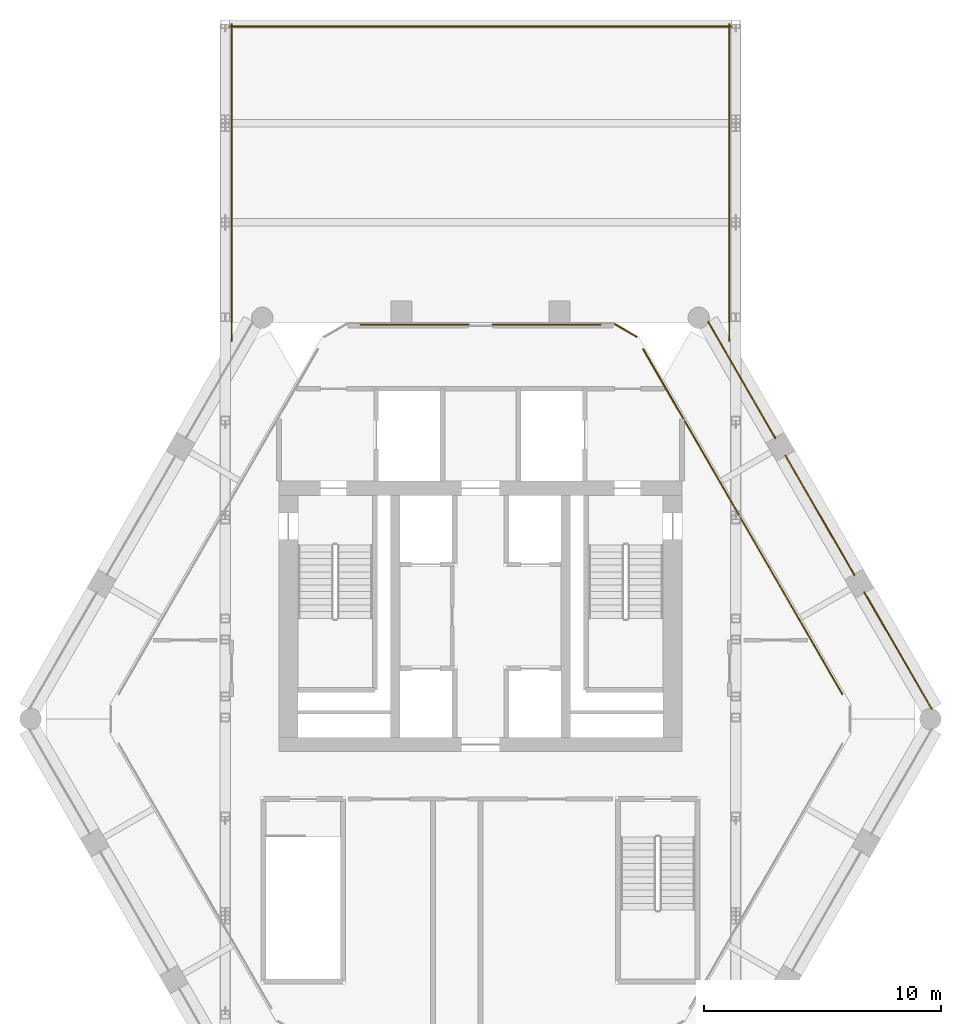
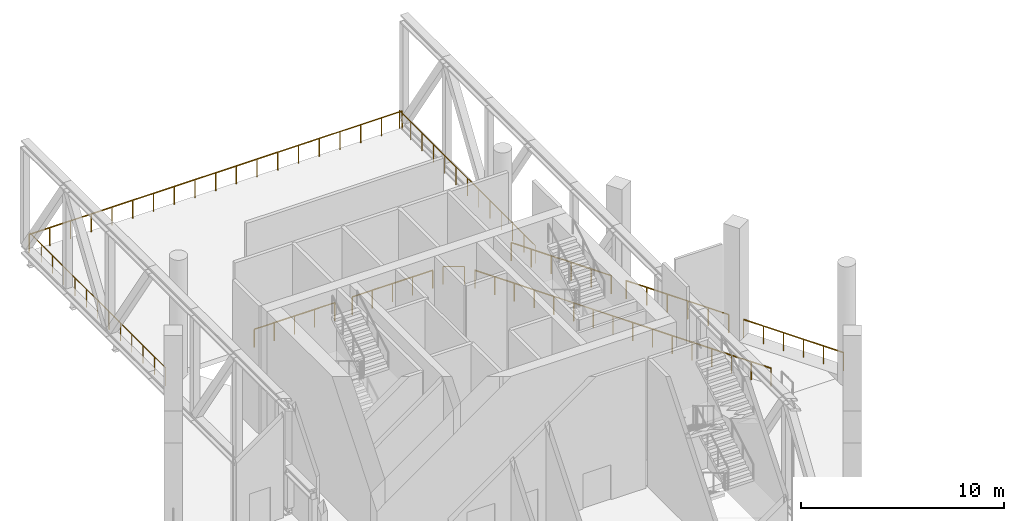
# One storey, part 14 of 14: 10 railings.
"""IFC4 building model written with IfcOpenShell, lengths in metres."""

from ifc_helpers import new_model, si_unit, direction, frame, origin, origin_2d, place, context, subcontext, project, spatial, circle, extrude, material, type_object, element, save


model = new_model("IFC4")

# Units and contexts
model_context = context("Model", 3, precision=1e-05, world=origin(), true_north=direction((0.0, 1.0)))
body_context = subcontext(model_context, "Body", "Model", "MODEL_VIEW")
ifc_project = project(units=[si_unit("LENGTHUNIT", "METRE"), si_unit("AREAUNIT", "SQUARE_METRE"), si_unit("VOLUMEUNIT", "CUBIC_METRE"), si_unit("PLANEANGLEUNIT", "RADIAN"), si_unit("MASSUNIT", "GRAM", prefix="KILO")], contexts=[model_context])

# Site, building, storey
site_placement = place(None, origin())
site = spatial("IfcSite", under=ifc_project, at=site_placement, CompositionType="ELEMENT")
building_placement = place(site_placement, origin())
building = spatial("IfcBuilding", under=site, at=building_placement, Name="Ostrander Bayou Hotel Tower", CompositionType="ELEMENT")
storey_placement = place(building_placement, frame((0.0, 0.0, 237.0)))
storey = spatial("IfcBuildingStorey", under=building, at=storey_placement, Name="L59", CompositionType="ELEMENT", Elevation=237.0)

# Railings
ifc_material = material(Name="Stainless steel and clear glass", Category="steel")
railing_type = type_object("IfcRailingType", Name="GR1 guard 1100 mm", PredefinedType="GUARDRAIL", material=ifc_material)
railing_1_placement = place(storey_placement, frame((19.024169921875, 0.0947265625, 0.0)))
element("IfcRailing", 1, at=railing_1_placement, inside=storey, type_object=railing_type, Name="GR1 L59 NE-1 open band guard", PredefinedType="GUARDRAIL", context=body_context, shape_type="SweptSolid", body=[
    extrude(circle(Radius=0.02490234375, at=origin_2d()), frame((0.0, 0.0, 1.0751953125), z_axis=(-0.499994028088, 0.866028851642, 0.0), x_axis=(-0.866028851642, -0.499994028088, 0.0)), (0.0, 0.0, 1.0), 5.6806640625),
    extrude(circle(Radius=0.02001953125, at=origin_2d()), origin(), (0.0, 0.0, 1.0), 1.050048828125),
    extrude(circle(Radius=0.02001953125, at=origin_2d()), frame((-0.568115234375, 0.98388671875, 0.0)), (0.0, 0.0, 1.0), 1.050048828125),
    extrude(circle(Radius=0.02001953125, at=origin_2d()), frame((-1.13623046875, 1.9677734375, 0.0)), (0.0, 0.0, 1.0), 1.050048828125),
    extrude(circle(Radius=0.02001953125, at=origin_2d()), frame((-1.7041015625, 2.951904296875, 0.0)), (0.0, 0.0, 1.0), 1.050048828125),
    extrude(circle(Radius=0.02001953125, at=origin_2d()), frame((-2.272216796875, 3.935791015625, 0.0)), (0.0, 0.0, 1.0), 1.050048828125),
    extrude(circle(Radius=0.02001953125, at=origin_2d()), frame((-2.84033203125, 4.919677734375, 0.0)), (0.0, 0.0, 1.0), 1.050048828125),
])
railing_2_placement = place(storey_placement, frame((15.763916015625, 5.74169921875, 0.0)))
element("IfcRailing", 2, at=railing_2_placement, inside=storey, type_object=railing_type, Name="GR1 L59 NE-2 open band guard", PredefinedType="GUARDRAIL", context=body_context, shape_type="SweptSolid", body=[
    extrude(circle(Radius=0.02490234375, at=origin_2d()), frame((0.0, 0.0, 1.0751953125), z_axis=(-0.499997265274, 0.866026982673, 0.0), x_axis=(-0.866026982673, -0.499997265274, 0.0)), (0.0, 0.0, 1.0), 5.81884765625),
    extrude(circle(Radius=0.02001953125, at=origin_2d()), origin(), (0.0, 0.0, 1.0), 1.050048828125),
    extrude(circle(Radius=0.02001953125, at=origin_2d()), frame((-0.581787109375, 1.0078125, 0.0)), (0.0, 0.0, 1.0), 1.050048828125),
    extrude(circle(Radius=0.02001953125, at=origin_2d()), frame((-1.163818359375, 2.015625, 0.0)), (0.0, 0.0, 1.0), 1.050048828125),
    extrude(circle(Radius=0.02001953125, at=origin_2d()), frame((-1.74560546875, 3.023681640625, 0.0)), (0.0, 0.0, 1.0), 1.050048828125),
    extrude(circle(Radius=0.02001953125, at=origin_2d()), frame((-2.32763671875, 4.031494140625, 0.0)), (0.0, 0.0, 1.0), 1.050048828125),
    extrude(circle(Radius=0.02001953125, at=origin_2d()), frame((-2.909423828125, 5.039306640625, 0.0)), (0.0, 0.0, 1.0), 1.050048828125),
])
railing_3_placement = place(storey_placement, frame((12.434326171875, 11.50830078125, 0.0)))
element("IfcRailing", 3, at=railing_3_placement, inside=storey, type_object=railing_type, Name="GR1 L59 NE-3 open band guard", PredefinedType="GUARDRAIL", context=body_context, shape_type="SweptSolid", body=[
    extrude(circle(Radius=0.02490234375, at=origin_2d()), frame((0.0, 0.0, 1.0751953125), z_axis=(-0.499994028088, 0.866028851642, 0.0), x_axis=(-0.866028851642, -0.499994028088, 0.0)), (0.0, 0.0, 1.0), 5.6806640625),
    extrude(circle(Radius=0.02001953125, at=origin_2d()), origin(), (0.0, 0.0, 1.0), 1.050048828125),
    extrude(circle(Radius=0.02001953125, at=origin_2d()), frame((-0.568115234375, 0.98388671875, 0.0)), (0.0, 0.0, 1.0), 1.050048828125),
    extrude(circle(Radius=0.02001953125, at=origin_2d()), frame((-1.13623046875, 1.9677734375, 0.0)), (0.0, 0.0, 1.0), 1.050048828125),
    extrude(circle(Radius=0.02001953125, at=origin_2d()), frame((-1.7041015625, 2.951904296875, 0.0)), (0.0, 0.0, 1.0), 1.050048828125),
    extrude(circle(Radius=0.02001953125, at=origin_2d()), frame((-2.272216796875, 3.935791015625, 0.0)), (0.0, 0.0, 1.0), 1.050048828125),
    extrude(circle(Radius=0.02001953125, at=origin_2d()), frame((-2.84033203125, 4.919677734375, 0.0)), (0.0, 0.0, 1.0), 1.050048828125),
])
railing_4_placement = place(storey_placement, frame((6.58349609375, 15.79248046875, 0.0)))
element("IfcRailing", 4, at=railing_4_placement, inside=storey, type_object=railing_type, Name="GR1 L59 corner guard 6", PredefinedType="GUARDRAIL", context=body_context, shape_type="SweptSolid", body=[
    extrude(circle(Radius=0.02490234375, at=origin_2d()), frame((0.0, 0.0, 1.0751953125), z_axis=(-0.866048165231, 0.499960573946, 0.0), x_axis=(-0.499960573946, -0.866048165231, 0.0)), (0.0, 0.0, 1.0), 1.06494140625),
    extrude(circle(Radius=0.02001953125, at=origin_2d()), origin(), (0.0, 0.0, 1.0), 1.050048828125),
    extrude(circle(Radius=0.02001953125, at=origin_2d()), frame((-0.92236328125, 0.532470703125, 0.0)), (0.0, 0.0, 1.0), 1.050048828125),
])
railing_5_placement = place(storey_placement, frame((6.861328125, 15.26123046875, 0.0)))
element("IfcRailing", 5, at=railing_5_placement, inside=storey, type_object=railing_type, Name="GR1 L59 edge guard 2", PredefinedType="GUARDRAIL", context=body_context, shape_type="SweptSolid", body=[
    extrude(circle(Radius=0.02490234375, at=origin_2d()), frame((0.0, 0.0, 1.0751953125), z_axis=(0.500002543286, -0.866023935413, 0.0), x_axis=(0.866023935413, 0.500002543286, 0.0)), (0.0, 0.0, 1.0), 16.80078125),
    extrude(circle(Radius=0.02001953125, at=origin_2d()), origin(), (0.0, 0.0, 1.0), 1.050048828125),
    extrude(circle(Radius=0.02001953125, at=origin_2d()), frame((0.56005859375, -0.969970703125, 0.0)), (0.0, 0.0, 1.0), 1.050048828125),
    extrude(circle(Radius=0.02001953125, at=origin_2d()), frame((1.1201171875, -1.93994140625, 0.0)), (0.0, 0.0, 1.0), 1.050048828125),
    extrude(circle(Radius=0.02001953125, at=origin_2d()), frame((1.68017578125, -2.909912109375, 0.0)), (0.0, 0.0, 1.0), 1.050048828125),
    extrude(circle(Radius=0.02001953125, at=origin_2d()), frame((2.239990234375, -3.8798828125, 0.0)), (0.0, 0.0, 1.0), 1.050048828125),
    extrude(circle(Radius=0.02001953125, at=origin_2d()), frame((2.800048828125, -4.849853515625, 0.0)), (0.0, 0.0, 1.0), 1.050048828125),
    extrude(circle(Radius=0.02001953125, at=origin_2d()), frame((3.360107421875, -5.81982421875, 0.0)), (0.0, 0.0, 1.0), 1.050048828125),
    extrude(circle(Radius=0.02001953125, at=origin_2d()), frame((3.920166015625, -6.789794921875, 0.0)), (0.0, 0.0, 1.0), 1.050048828125),
    extrude(circle(Radius=0.02001953125, at=origin_2d()), frame((4.480224609375, -7.760009765625, 0.0)), (0.0, 0.0, 1.0), 1.050048828125),
    extrude(circle(Radius=0.02001953125, at=origin_2d()), frame((5.040283203125, -8.72998046875, 0.0)), (0.0, 0.0, 1.0), 1.050048828125),
    extrude(circle(Radius=0.02001953125, at=origin_2d()), frame((5.600341796875, -9.699951171875, 0.0)), (0.0, 0.0, 1.0), 1.050048828125),
    extrude(circle(Radius=0.02001953125, at=origin_2d()), frame((6.160400390625, -10.669921875, 0.0)), (0.0, 0.0, 1.0), 1.050048828125),
    extrude(circle(Radius=0.02001953125, at=origin_2d()), frame((6.72021484375, -11.639892578125, 0.0)), (0.0, 0.0, 1.0), 1.050048828125),
    extrude(circle(Radius=0.02001953125, at=origin_2d()), frame((7.2802734375, -12.60986328125, 0.0)), (0.0, 0.0, 1.0), 1.050048828125),
    extrude(circle(Radius=0.02001953125, at=origin_2d()), frame((7.84033203125, -13.579833984375, 0.0)), (0.0, 0.0, 1.0), 1.050048828125),
    extrude(circle(Radius=0.02001953125, at=origin_2d()), frame((8.400390625, -14.5498046875, 0.0)), (0.0, 0.0, 1.0), 1.050048828125),
])
railing_6_placement = place(storey_placement, frame((-10.4873046875, 28.966552734375, 0.0)))
element("IfcRailing", 6, at=railing_6_placement, inside=storey, type_object=railing_type, Name="GR1 bar roof guard SB5 4", PredefinedType="GUARDRAIL", context=body_context, shape_type="SweptSolid", body=[
    extrude(circle(Radius=0.02490234375, at=origin_2d()), frame((0.0, 0.0, 1.0751953125), z_axis=(0.0, -1.0, 0.0), x_axis=(1.0, 0.0, 0.0)), (0.0, 0.0, 1.0), 13.358642578125),
    extrude(circle(Radius=0.02001953125, at=origin_2d()), origin(), (0.0, 0.0, 1.0), 1.050048828125),
    extrude(circle(Radius=0.02001953125, at=origin_2d()), frame((0.0, -1.11328125, 0.0)), (0.0, 0.0, 1.0), 1.050048828125),
    extrude(circle(Radius=0.02001953125, at=origin_2d()), frame((0.0, -2.2265625, 0.0)), (0.0, 0.0, 1.0), 1.050048828125),
    extrude(circle(Radius=0.02001953125, at=origin_2d()), frame((0.0, -3.339599609375, 0.0)), (0.0, 0.0, 1.0), 1.050048828125),
    extrude(circle(Radius=0.02001953125, at=origin_2d()), frame((0.0, -4.452880859375, 0.0)), (0.0, 0.0, 1.0), 1.050048828125),
    extrude(circle(Radius=0.02001953125, at=origin_2d()), frame((0.0, -5.566162109375, 0.0)), (0.0, 0.0, 1.0), 1.050048828125),
    extrude(circle(Radius=0.02001953125, at=origin_2d()), frame((0.0, -6.67919921875, 0.0)), (0.0, 0.0, 1.0), 1.050048828125),
    extrude(circle(Radius=0.02001953125, at=origin_2d()), frame((0.0, -7.79248046875, 0.0)), (0.0, 0.0, 1.0), 1.050048828125),
    extrude(circle(Radius=0.02001953125, at=origin_2d()), frame((0.0, -8.90576171875, 0.0)), (0.0, 0.0, 1.0), 1.050048828125),
    extrude(circle(Radius=0.02001953125, at=origin_2d()), frame((0.0, -10.01904296875, 0.0)), (0.0, 0.0, 1.0), 1.050048828125),
    extrude(circle(Radius=0.02001953125, at=origin_2d()), frame((0.0, -11.13232421875, 0.0)), (0.0, 0.0, 1.0), 1.050048828125),
    extrude(circle(Radius=0.02001953125, at=origin_2d()), frame((0.0, -12.245361328125, 0.0)), (0.0, 0.0, 1.0), 1.050048828125),
    extrude(circle(Radius=0.02001953125, at=origin_2d()), frame((0.0, -13.358642578125, 0.0)), (0.0, 0.0, 1.0), 1.050048828125),
])
railing_7_placement = place(storey_placement, frame((10.4873046875, 15.60791015625, 0.0)))
element("IfcRailing", 7, at=railing_7_placement, inside=storey, type_object=railing_type, Name="GR1 bar roof guard SB5 5", PredefinedType="GUARDRAIL", context=body_context, shape_type="SweptSolid", body=[
    extrude(circle(Radius=0.02490234375, at=origin_2d()), frame((0.0, 0.0, 1.0751953125), z_axis=(0.0, 1.0, 0.0), x_axis=(-1.0, 0.0, 0.0)), (0.0, 0.0, 1.0), 13.358642578125),
    extrude(circle(Radius=0.02001953125, at=origin_2d()), origin(), (0.0, 0.0, 1.0), 1.050048828125),
    extrude(circle(Radius=0.02001953125, at=origin_2d()), frame((0.0, 1.11328125, 0.0)), (0.0, 0.0, 1.0), 1.050048828125),
    extrude(circle(Radius=0.02001953125, at=origin_2d()), frame((0.0, 2.2265625, 0.0)), (0.0, 0.0, 1.0), 1.050048828125),
    extrude(circle(Radius=0.02001953125, at=origin_2d()), frame((0.0, 3.339599609375, 0.0)), (0.0, 0.0, 1.0), 1.050048828125),
    extrude(circle(Radius=0.02001953125, at=origin_2d()), frame((0.0, 4.452880859375, 0.0)), (0.0, 0.0, 1.0), 1.050048828125),
    extrude(circle(Radius=0.02001953125, at=origin_2d()), frame((0.0, 5.566162109375, 0.0)), (0.0, 0.0, 1.0), 1.050048828125),
    extrude(circle(Radius=0.02001953125, at=origin_2d()), frame((0.0, 6.67919921875, 0.0)), (0.0, 0.0, 1.0), 1.050048828125),
    extrude(circle(Radius=0.02001953125, at=origin_2d()), frame((0.0, 7.79248046875, 0.0)), (0.0, 0.0, 1.0), 1.050048828125),
    extrude(circle(Radius=0.02001953125, at=origin_2d()), frame((0.0, 8.90576171875, 0.0)), (0.0, 0.0, 1.0), 1.050048828125),
    extrude(circle(Radius=0.02001953125, at=origin_2d()), frame((0.0, 10.01904296875, 0.0)), (0.0, 0.0, 1.0), 1.050048828125),
    extrude(circle(Radius=0.02001953125, at=origin_2d()), frame((0.0, 11.13232421875, 0.0)), (0.0, 0.0, 1.0), 1.050048828125),
    extrude(circle(Radius=0.02001953125, at=origin_2d()), frame((0.0, 12.245361328125, 0.0)), (0.0, 0.0, 1.0), 1.050048828125),
    extrude(circle(Radius=0.02001953125, at=origin_2d()), frame((0.0, 13.358642578125, 0.0)), (0.0, 0.0, 1.0), 1.050048828125),
])
railing_8_placement = place(storey_placement, frame((10.587158203125, 28.86669921875, 0.0)))
element("IfcRailing", 8, at=railing_8_placement, inside=storey, type_object=railing_type, Name="GR1 bar roof guard SB5 6", PredefinedType="GUARDRAIL", context=body_context, shape_type="SweptSolid", body=[
    extrude(circle(Radius=0.02490234375, at=origin_2d()), frame((0.0, 0.0, 1.0751953125), z_axis=(-1.0, 0.0, 0.0), x_axis=(0.0, -1.0, 0.0)), (0.0, 0.0, 1.0), 21.17431640625),
    extrude(circle(Radius=0.02001953125, at=origin_2d()), origin(), (0.0, 0.0, 1.0), 1.050048828125),
    extrude(circle(Radius=0.02001953125, at=origin_2d()), frame((-1.17626953125, 0.0, 0.0)), (0.0, 0.0, 1.0), 1.050048828125),
    extrude(circle(Radius=0.02001953125, at=origin_2d()), frame((-2.352783203125, 0.0, 0.0)), (0.0, 0.0, 1.0), 1.050048828125),
    extrude(circle(Radius=0.02001953125, at=origin_2d()), frame((-3.529052734375, 0.0, 0.0)), (0.0, 0.0, 1.0), 1.050048828125),
    extrude(circle(Radius=0.02001953125, at=origin_2d()), frame((-4.705322265625, 0.0, 0.0)), (0.0, 0.0, 1.0), 1.050048828125),
    extrude(circle(Radius=0.02001953125, at=origin_2d()), frame((-5.8818359375, 0.0, 0.0)), (0.0, 0.0, 1.0), 1.050048828125),
    extrude(circle(Radius=0.02001953125, at=origin_2d()), frame((-7.05810546875, 0.0, 0.0)), (0.0, 0.0, 1.0), 1.050048828125),
    extrude(circle(Radius=0.02001953125, at=origin_2d()), frame((-8.234375, 0.0, 0.0)), (0.0, 0.0, 1.0), 1.050048828125),
    extrude(circle(Radius=0.02001953125, at=origin_2d()), frame((-9.410888671875, 0.0, 0.0)), (0.0, 0.0, 1.0), 1.050048828125),
    extrude(circle(Radius=0.02001953125, at=origin_2d()), frame((-10.587158203125, 0.0, 0.0)), (0.0, 0.0, 1.0), 1.050048828125),
    extrude(circle(Radius=0.02001953125, at=origin_2d()), frame((-11.763427734375, 0.0, 0.0)), (0.0, 0.0, 1.0), 1.050048828125),
    extrude(circle(Radius=0.02001953125, at=origin_2d()), frame((-12.93994140625, 0.0, 0.0)), (0.0, 0.0, 1.0), 1.050048828125),
    extrude(circle(Radius=0.02001953125, at=origin_2d()), frame((-14.1162109375, 0.0, 0.0)), (0.0, 0.0, 1.0), 1.050048828125),
    extrude(circle(Radius=0.02001953125, at=origin_2d()), frame((-15.29248046875, 0.0, 0.0)), (0.0, 0.0, 1.0), 1.050048828125),
    extrude(circle(Radius=0.02001953125, at=origin_2d()), frame((-16.468994140625, 0.0, 0.0)), (0.0, 0.0, 1.0), 1.050048828125),
    extrude(circle(Radius=0.02001953125, at=origin_2d()), frame((-17.645263671875, 0.0, 0.0)), (0.0, 0.0, 1.0), 1.050048828125),
    extrude(circle(Radius=0.02001953125, at=origin_2d()), frame((-18.821533203125, 0.0, 0.0)), (0.0, 0.0, 1.0), 1.050048828125),
    extrude(circle(Radius=0.02001953125, at=origin_2d()), frame((-19.998046875, 0.0, 0.0)), (0.0, 0.0, 1.0), 1.050048828125),
    extrude(circle(Radius=0.02001953125, at=origin_2d()), frame((-21.17431640625, 0.0, 0.0)), (0.0, 0.0, 1.0), 1.050048828125),
])
for number, where, name in (
    (9, (-5.062255859375, 16.300048828125, 0.0), "GR1 L59 edge guard 1"),
    (10, (0.5, 16.300048828125, 0.0), "GR1 L59 edge guard 1"),
):
    element("IfcRailing", number, at=place(storey_placement, frame(where)), inside=storey, type_object=railing_type, Name=name, PredefinedType="GUARDRAIL", context=body_context, shape_type="SweptSolid", body=[
        extrude(circle(Radius=0.02490234375, at=origin_2d()), frame((0.0, 0.0, 1.0751953125), z_axis=(1.0, 0.0, 0.0), x_axis=(0.0, 1.0, 0.0)), (0.0, 0.0, 1.0), 4.562255859375),
        extrude(circle(Radius=0.02001953125, at=origin_2d()), origin(), (0.0, 0.0, 1.0), 1.050048828125),
        extrude(circle(Radius=0.02001953125, at=origin_2d()), frame((1.140625, 0.0, 0.0)), (0.0, 0.0, 1.0), 1.050048828125),
        extrude(circle(Radius=0.02001953125, at=origin_2d()), frame((2.28125, 0.0, 0.0)), (0.0, 0.0, 1.0), 1.050048828125),
        extrude(circle(Radius=0.02001953125, at=origin_2d()), frame((3.421630859375, 0.0, 0.0)), (0.0, 0.0, 1.0), 1.050048828125),
        extrude(circle(Radius=0.02001953125, at=origin_2d()), frame((4.562255859375, 0.0, 0.0)), (0.0, 0.0, 1.0), 1.050048828125),
    ])

save(model, "model.ifc")
